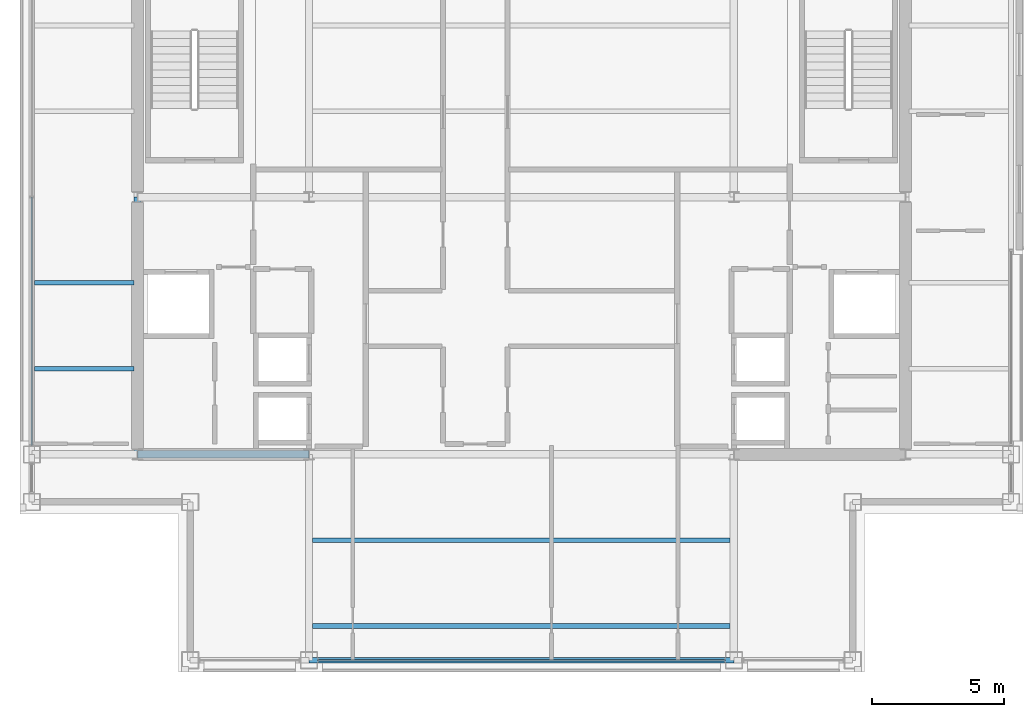
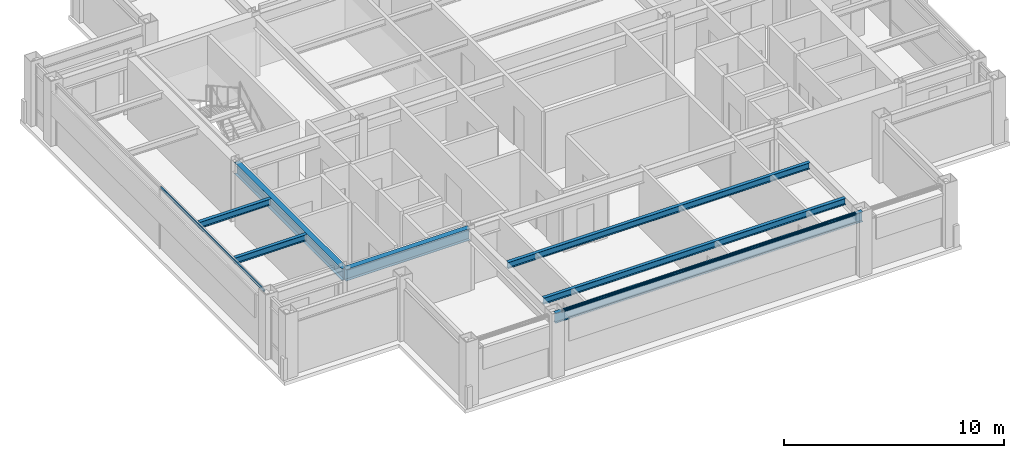
# One storey, part 4 of 24: 7 beams, 2 members, 2 elements without a shape of their own.
"""IFC4 building model written with IfcOpenShell, lengths in metres."""

from ifc_helpers import new_model, si_unit, direction, frame, origin, origin_2d, place, context, subcontext, project, spatial, hollow_rectangle, i_section, extrude, material, layer, layer_set, material_profile, profile_set, type_object, element, aggregate, save


model = new_model("IFC4")

# Units and contexts
model_context = context("Model", 3, precision=1e-05, world=origin(), true_north=direction((0.0, 1.0)))
body_context = subcontext(model_context, "Body", "Model", "MODEL_VIEW")
ifc_project = project(units=[si_unit("LENGTHUNIT", "METRE"), si_unit("AREAUNIT", "SQUARE_METRE"), si_unit("VOLUMEUNIT", "CUBIC_METRE"), si_unit("PLANEANGLEUNIT", "RADIAN"), si_unit("MASSUNIT", "GRAM", prefix="KILO")], contexts=[model_context])

# Site, building, storey
site_placement = place(None, origin())
site = spatial("IfcSite", under=ifc_project, at=site_placement, CompositionType="ELEMENT")
building_placement = place(site_placement, origin())
building = spatial("IfcBuilding", under=site, at=building_placement, Name="Brelmoor Portico Tower", CompositionType="ELEMENT")
storey_placement = place(building_placement, frame((0.0, 0.0, 229.199951171875)))
storey = spatial("IfcBuildingStorey", under=building, at=storey_placement, Name="L60", CompositionType="ELEMENT", Elevation=229.199951171875)

# Beams
ifc_material_1 = material(Name="Steel Q355B", Category="steel")
ifc_material_profile_1 = material_profile(ifc_material_1, i_section(OverallWidth=0.175048828125, OverallDepth=0.35009765625, WebThickness=0.007080078125, FlangeThickness=0.010986328125, at=origin_2d()), Name="HN 350x175x7x11")
ifc_profile_set_1 = profile_set([ifc_material_profile_1], Name="Steel Q355B")
beam_type_1 = type_object("IfcBeamType", Name="BM-JS-350", PredefinedType="JOIST", material=ifc_profile_set_1)
for number, where, z_axis, x_axis, name in (
    (1, (-7.909912109375, -16.25, 3.22509765625), (1.0, 0.0, 0.0), (0.0, 1.0, 0.0), "L60 Secondary Composite Joist JS-C01"),
    (2, (-7.909912109375, -13.0, 3.22509765625), (1.0, 0.0, 0.0), (0.0, 1.0, 0.0), "L60 Secondary Composite Joist JS-C02"),
):
    element("IfcBeam", number, at=place(storey_placement, frame(where, z_axis=z_axis, x_axis=x_axis)), inside=storey, type_object=beam_type_1, Name=name, PredefinedType="JOIST", context=body_context, shape_type="SweptSolid", body=[
        extrude(i_section(OverallWidth=0.175048828125, OverallDepth=0.35009765625, WebThickness=0.007080078125, FlangeThickness=0.010986328125, at=origin_2d()), origin(), (0.0, 0.0, 1.0), 15.81982421875),
    ])
for number, where, z_axis, x_axis, name in (
    (3, (-18.449951171875, -6.5, 3.22509765625), (1.0, 0.0, 0.0), (0.0, 1.0, 0.0), "L60 Secondary Wing Joist JS-W07"),
    (4, (-18.449951171875, -3.25, 3.22509765625), (1.0, 0.0, 0.0), (0.0, 1.0, 0.0), "L60 Secondary Wing Joist JS-W08"),
):
    element("IfcBeam", number, at=place(storey_placement, frame(where, z_axis=z_axis, x_axis=x_axis)), inside=storey, type_object=beam_type_1, Name=name, PredefinedType="JOIST", context=body_context, shape_type="SweptSolid", body=[
        extrude(i_section(OverallWidth=0.175048828125, OverallDepth=0.35009765625, WebThickness=0.007080078125, FlangeThickness=0.010986328125, at=origin_2d()), origin(), (0.0, 0.0, 1.0), 3.760009765625),
    ])
ifc_material_profile_2 = material_profile(ifc_material_1, i_section(OverallWidth=0.280029296875, OverallDepth=0.64990234375, WebThickness=0.012939453125, FlangeThickness=0.02197265625, at=origin_2d()), Name="HN 650x280x13x22")
ifc_profile_set_2 = profile_set([ifc_material_profile_2], Name="Steel Q355B")
beam_type_2 = type_object("IfcBeamType", Name="BM-PG-650", PredefinedType="BEAM", material=ifc_profile_set_2)
beam_1_placement = place(storey_placement, frame((-14.550048828125, -9.75, 3.074951171875), z_axis=(0.0, 1.0, 0.0), x_axis=(-1.0, 0.0, 0.0)))
element("IfcBeam", 5, at=beam_1_placement, inside=storey, type_object=beam_type_2, Name="L60 Primary Floor Girder PG-01", PredefinedType="BEAM", context=body_context, shape_type="SweptSolid", body=[
    extrude(i_section(OverallWidth=0.280029296875, OverallDepth=0.64990234375, WebThickness=0.012939453125, FlangeThickness=0.02197265625, at=origin_2d()), origin(), (0.0, 0.0, 1.0), 9.75),
])
beam_2_placement = place(storey_placement, frame((-14.550048828125, -9.75, 3.074951171875), z_axis=(1.0, 0.0, 0.0), x_axis=(0.0, 1.0, 0.0)))
element("IfcBeam", 6, at=beam_2_placement, inside=storey, type_object=beam_type_2, Name="L60 Primary Floor Girder PG-12", PredefinedType="BEAM", context=body_context, shape_type="SweptSolid", body=[
    extrude(i_section(OverallWidth=0.280029296875, OverallDepth=0.64990234375, WebThickness=0.012939453125, FlangeThickness=0.02197265625, at=origin_2d()), origin(), (0.0, 0.0, 1.0), 6.5),
])
ifc_material_profile_3 = material_profile(ifc_material_1, i_section(OverallWidth=0.199951171875, OverallDepth=0.550048828125, WebThickness=0.010009765625, FlangeThickness=0.01611328125, at=origin_2d()), Name="HN 550x200x10x16")
ifc_profile_set_3 = profile_set([ifc_material_profile_3], Name="Steel Q355B")
beam_type_3 = type_object("IfcBeamType", Name="BM-SP-550", PredefinedType="SPANDREL", material=ifc_profile_set_3)
beam_3_placement = place(storey_placement, frame((-8.050048828125, -17.550048828125, 3.125), z_axis=(1.0, 0.0, 0.0), x_axis=(0.0, 1.0, 0.0)))
element("IfcBeam", 7, at=beam_3_placement, inside=storey, type_object=beam_type_3, Name="L60 Perimeter Spandrel Beam SP-02", PredefinedType="SPANDREL", context=body_context, shape_type="SweptSolid", body=[
    extrude(i_section(OverallWidth=0.199951171875, OverallDepth=0.550048828125, WebThickness=0.010009765625, FlangeThickness=0.01611328125, at=origin_2d()), origin(), (0.0, 0.0, 1.0), 16.10009765625),
])

# Curtain wall, member
ifc_material_2 = material(Name="Anodised Aluminium Alloy 6063-T6", Category="aluminium")
ifc_layer = layer(ifc_material_2, 0.179931640625)
ifc_layer_set = layer_set([ifc_layer], Name="Anodised Aluminium Alloy 6063-T6")
curtain_wall_type = type_object("IfcCurtainWallType", Name="CW-TOWER-Z4-XB", PredefinedType="NOTDEFINED", material=ifc_layer_set)
curtain_wall_1_placement = place(storey_placement, origin())
curtain_wall_1 = element("IfcCurtainWall", 8, at=curtain_wall_1_placement, inside=storey, type_object=curtain_wall_type, Name="L60 Curtain Wall CW-L60-01-2", PredefinedType="NOTDEFINED")
ifc_material_profile_4 = material_profile(ifc_material_2, hollow_rectangle(XDim=0.06005859375, YDim=0.125, WallThickness=0.00341796875, at=origin_2d()), Name="ALU TRANSOM 60x125")
ifc_profile_set_4 = profile_set([ifc_material_profile_4], Name="Anodised Aluminium Alloy 6063-T6")
member_type = type_object("IfcMemberType", Name="MB-CW-TRAN-125", PredefinedType="USERDEFINED", material=ifc_profile_set_4)
member_1_placement = place(storey_placement, frame((-7.715087890625, -17.550048828125, 3.337646484375), z_axis=(1.0, 0.0, 0.0), x_axis=(0.0, 1.0, 0.0)))
member_1 = element("IfcMember", 9, at=member_1_placement, type_object=member_type, Name="CW-L60-01-2 Transom 1-00", ObjectType="TRANSOM", PredefinedType="USERDEFINED", context=body_context, shape_type="SweptSolid", body=[
    extrude(hollow_rectangle(XDim=0.06005859375, YDim=0.125, WallThickness=0.00341796875, at=origin_2d()), origin(), (0.0, 0.0, 1.0), 15.43017578125),
])
aggregate(curtain_wall_1, [member_1])

curtain_wall_2_placement = place(storey_placement, origin())
curtain_wall_2 = element("IfcCurtainWall", 10, at=curtain_wall_2_placement, inside=storey, type_object=curtain_wall_type, Name="L60 Curtain Wall CW-L60-03-2", PredefinedType="NOTDEFINED")
member_2_placement = place(storey_placement, frame((-18.550048828125, -9.4150390625, 3.337646484375), z_axis=(0.0, 1.0, 0.0), x_axis=(-1.0, 0.0, 0.0)))
member_2 = element("IfcMember", 11, at=member_2_placement, type_object=member_type, Name="CW-L60-03-2 Transom 1-00", ObjectType="TRANSOM", PredefinedType="USERDEFINED", context=body_context, shape_type="SweptSolid", body=[
    extrude(hollow_rectangle(XDim=0.06005859375, YDim=0.125, WallThickness=0.00341796875, at=origin_2d()), origin(), (0.0, 0.0, 1.0), 9.4150390625),
])
aggregate(curtain_wall_2, [member_2])

save(model, "model.ifc")
